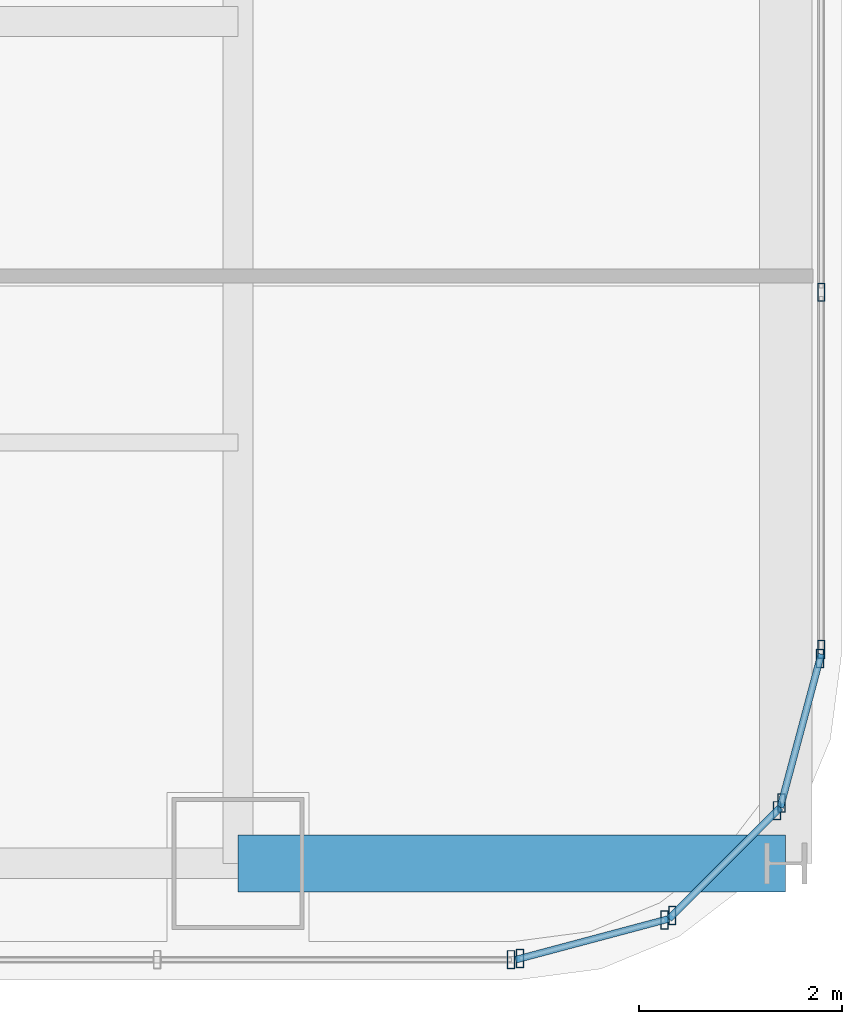
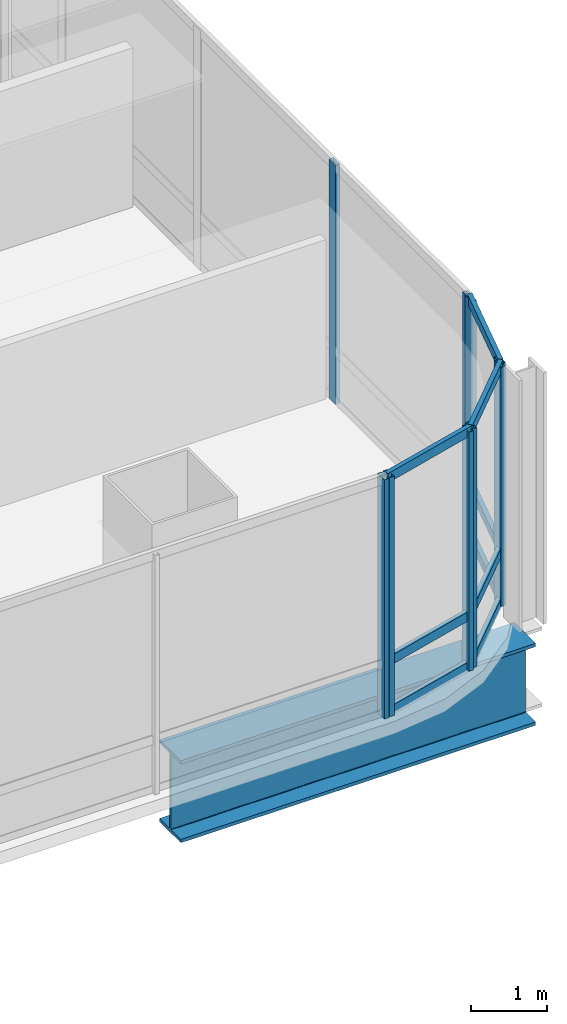
# One storey, part 15 of 42: 18 members, 1 beam, 5 elements without a shape of their own.
"""IFC4 building model written with IfcOpenShell, lengths in metres."""

from ifc_helpers import new_model, si_unit, direction, frame, origin, origin_2d, place, context, subcontext, project, spatial, hollow_rectangle, i_section, extrude, material, material_profile, profile_set, type_object, element, aggregate, save


model = new_model("IFC4")

# Units and contexts
model_context = context("Model", 3, precision=1e-05, world=origin(), true_north=direction((0.0, 1.0)))
body_context = subcontext(model_context, "Body", "Model", "MODEL_VIEW")
ifc_project = project(units=[si_unit("LENGTHUNIT", "METRE"), si_unit("AREAUNIT", "SQUARE_METRE"), si_unit("VOLUMEUNIT", "CUBIC_METRE"), si_unit("PLANEANGLEUNIT", "RADIAN"), si_unit("MASSUNIT", "GRAM", prefix="KILO")], contexts=[model_context])

# Site, building, storey
site_placement = place(None, origin())
site = spatial("IfcSite", under=ifc_project, at=site_placement, CompositionType="ELEMENT")
building_placement = place(site_placement, origin())
building = spatial("IfcBuilding", under=site, at=building_placement, Name="Punatoya Terracotta Tower", CompositionType="ELEMENT")
storey_placement = place(building_placement, frame((0.0, 0.0, 259.5)))
storey = spatial("IfcBuildingStorey", under=building, at=storey_placement, Name="L61", CompositionType="ELEMENT", Elevation=259.5)

# Beam
ifc_material_1 = material(Name="Steel S460", Category="steel")
ifc_material_profile_1 = material_profile(ifc_material_1, i_section(OverallWidth=0.56005859375, OverallDepth=1.320068359375, WebThickness=0.035888671875, FlangeThickness=0.054931640625, FilletRadius=0.01806640625, at=origin_2d()))
ifc_profile_set_1 = profile_set([ifc_material_profile_1], Name="Steel S460")
beam_type = type_object("IfcBeamType", Name="BM-TG-BLK", PredefinedType="BEAM", material=ifc_profile_set_1)
beam_placement = place(storey_placement, frame((19.10009765625, -17.5, -0.860107421875), z_axis=(1.0, 0.0, 0.0), x_axis=(0.0, 1.0, 0.0)))
element("IfcBeam", 1, at=beam_placement, inside=storey, type_object=beam_type, Name="BM-L61-CANT-E1", PredefinedType="BEAM", context=body_context, shape_type="SweptSolid", body=[
    extrude(i_section(OverallWidth=0.56005859375, OverallDepth=1.320068359375, WebThickness=0.035888671875, FlangeThickness=0.054931640625, FilletRadius=0.01806640625, at=origin_2d()), origin(), (0.0, 0.0, 1.0), 5.39990234375),
])

# Curtain wall, member
ifc_material_2 = material(Name="Aluminium 6063-T6 + Double Low-E Glass", Category="aluminium")
curtain_wall_type = type_object("IfcCurtainWallType", Name="CW-M3", PredefinedType="NOTDEFINED", material=ifc_material_2)
curtain_wall_1_placement = place(storey_placement, origin())
curtain_wall_1 = element("IfcCurtainWall", 2, at=curtain_wall_1_placement, inside=storey, type_object=curtain_wall_type, Name="L61 Curtain Wall CW-L61-S01-1", PredefinedType="NOTDEFINED")
ifc_material_3 = material(Name="Aluminium 6063-T6", Category="aluminium")
ifc_material_profile_2 = material_profile(ifc_material_3, hollow_rectangle(XDim=0.070068359375, YDim=0.179931640625, WallThickness=0.00390625, at=origin_2d()))
ifc_profile_set_2 = profile_set([ifc_material_profile_2], Name="Aluminium 6063-T6")
member_type_1 = type_object("IfcMemberType", Name="CW-MUL-M3", PredefinedType="MULLION", material=ifc_profile_set_2)
member_1_placement = place(storey_placement, frame((21.7919921875, -18.449951171875, 0.0), z_axis=(0.0, 0.0, 1.0), x_axis=(1.0, 0.0, 0.0)))
member_1 = element("IfcMember", 3, at=member_1_placement, type_object=member_type_1, Name="CW-L61-S01-1 Mullion 11", PredefinedType="MULLION", context=body_context, shape_type="SweptSolid", body=[
    extrude(hollow_rectangle(XDim=0.070068359375, YDim=0.179931640625, WallThickness=0.00390625, at=origin_2d()), origin(), (0.0, 0.0, 1.0), 3.85009765625),
])
aggregate(curtain_wall_1, [member_1])

# Curtain wall, members
curtain_wall_2_placement = place(storey_placement, origin())
curtain_wall_2 = element("IfcCurtainWall", 4, at=curtain_wall_2_placement, inside=storey, type_object=curtain_wall_type, Name="L61 Curtain Wall CW-L61-CRN02", PredefinedType="NOTDEFINED")
member_2_placement = place(storey_placement, frame((21.88037109375, -18.4384765625, 0.0), z_axis=(0.0, 0.0, 1.0), x_axis=(1.0, 0.0, 0.0)))
member_2 = element("IfcMember", 5, at=member_2_placement, type_object=member_type_1, Name="CW-L61-CRN02 Mullion 00", PredefinedType="MULLION", context=body_context, shape_type="SweptSolid", body=[
    extrude(hollow_rectangle(XDim=0.070068359375, YDim=0.179931640625, WallThickness=0.00390625, at=origin_2d()), origin(), (0.0, 0.0, 1.0), 3.85009765625),
])
member_3_placement = place(storey_placement, frame((23.3056640625, -18.05810546875, 0.0), z_axis=(0.0, 0.0, 1.0), x_axis=(1.0, 0.0, 0.0)))
member_3 = element("IfcMember", 6, at=member_3_placement, type_object=member_type_1, Name="CW-L61-CRN02 Mullion 01", PredefinedType="MULLION", context=body_context, shape_type="SweptSolid", body=[
    extrude(hollow_rectangle(XDim=0.070068359375, YDim=0.179931640625, WallThickness=0.00390625, at=origin_2d()), origin(), (0.0, 0.0, 1.0), 3.85009765625),
])

curtain_wall_3_placement = place(storey_placement, origin())
curtain_wall_3 = element("IfcCurtainWall", 7, at=curtain_wall_3_placement, inside=storey, type_object=curtain_wall_type, Name="L61 Curtain Wall CW-L61-CRN03", PredefinedType="NOTDEFINED")
member_4_placement = place(storey_placement, frame((23.380859375, -18.014892578125, 0.0), z_axis=(0.0, 0.0, 1.0), x_axis=(1.0, 0.0, 0.0)))
member_4 = element("IfcMember", 8, at=member_4_placement, type_object=member_type_1, Name="CW-L61-CRN03 Mullion 00", PredefinedType="MULLION", context=body_context, shape_type="SweptSolid", body=[
    extrude(hollow_rectangle(XDim=0.070068359375, YDim=0.179931640625, WallThickness=0.00390625, at=origin_2d()), origin(), (0.0, 0.0, 1.0), 3.85009765625),
])
member_5_placement = place(storey_placement, frame((24.414794921875, -16.98095703125, 0.0), z_axis=(0.0, 0.0, 1.0), x_axis=(1.0, 0.0, 0.0)))
member_5 = element("IfcMember", 9, at=member_5_placement, type_object=member_type_1, Name="CW-L61-CRN03 Mullion 01", PredefinedType="MULLION", context=body_context, shape_type="SweptSolid", body=[
    extrude(hollow_rectangle(XDim=0.070068359375, YDim=0.179931640625, WallThickness=0.00390625, at=origin_2d()), origin(), (0.0, 0.0, 1.0), 3.85009765625),
])

curtain_wall_4_placement = place(storey_placement, origin())
curtain_wall_4 = element("IfcCurtainWall", 10, at=curtain_wall_4_placement, inside=storey, type_object=curtain_wall_type, Name="L61 Curtain Wall CW-L61-CRN04", PredefinedType="NOTDEFINED")
member_6_placement = place(storey_placement, frame((24.458251953125, -16.905517578125, 0.0), z_axis=(0.0, 0.0, 1.0), x_axis=(1.0, 0.0, 0.0)))
member_6 = element("IfcMember", 11, at=member_6_placement, type_object=member_type_1, Name="CW-L61-CRN04 Mullion 00", PredefinedType="MULLION", context=body_context, shape_type="SweptSolid", body=[
    extrude(hollow_rectangle(XDim=0.070068359375, YDim=0.179931640625, WallThickness=0.00390625, at=origin_2d()), origin(), (0.0, 0.0, 1.0), 3.85009765625),
])
member_7_placement = place(storey_placement, frame((24.83837890625, -15.48046875, 0.0), z_axis=(0.0, 0.0, 1.0), x_axis=(1.0, 0.0, 0.0)))
member_7 = element("IfcMember", 12, at=member_7_placement, type_object=member_type_1, Name="CW-L61-CRN04 Mullion 01", PredefinedType="MULLION", context=body_context, shape_type="SweptSolid", body=[
    extrude(hollow_rectangle(XDim=0.070068359375, YDim=0.179931640625, WallThickness=0.00390625, at=origin_2d()), origin(), (0.0, 0.0, 1.0), 3.85009765625),
])

curtain_wall_5_placement = place(storey_placement, origin())
curtain_wall_5 = element("IfcCurtainWall", 13, at=curtain_wall_5_placement, inside=storey, type_object=curtain_wall_type, Name="L61 Curtain Wall CW-L61-E05-1", PredefinedType="NOTDEFINED")
member_8_placement = place(storey_placement, frame((24.85009765625, -15.391845703125, 0.0), z_axis=(0.0, 0.0, 1.0), x_axis=(1.0, 0.0, 0.0)))
member_8 = element("IfcMember", 14, at=member_8_placement, type_object=member_type_1, Name="CW-L61-E05-1 Mullion 00", PredefinedType="MULLION", context=body_context, shape_type="SweptSolid", body=[
    extrude(hollow_rectangle(XDim=0.070068359375, YDim=0.179931640625, WallThickness=0.00390625, at=origin_2d()), origin(), (0.0, 0.0, 1.0), 3.85009765625),
])
member_9_placement = place(storey_placement, frame((24.85009765625, -11.869384765625, 0.0), z_axis=(0.0, 0.0, 1.0), x_axis=(1.0, 0.0, 0.0)))
member_9 = element("IfcMember", 15, at=member_9_placement, type_object=member_type_1, Name="CW-L61-E05-1 Mullion 01", PredefinedType="MULLION", context=body_context, shape_type="SweptSolid", body=[
    extrude(hollow_rectangle(XDim=0.070068359375, YDim=0.179931640625, WallThickness=0.00390625, at=origin_2d()), origin(), (0.0, 0.0, 1.0), 3.85009765625),
])
aggregate(curtain_wall_5, [member_8, member_9])

# Member
ifc_material_profile_3 = material_profile(ifc_material_3, hollow_rectangle(XDim=0.068115234375, YDim=0.14990234375, WallThickness=0.00390625, at=origin_2d()))
ifc_profile_set_3 = profile_set([ifc_material_profile_3], Name="Aluminium 6063-T6")
member_type_2 = type_object("IfcMemberType", Name="CW-TRN-TYP", PredefinedType="USERDEFINED", material=ifc_profile_set_3)
member_10_placement = place(storey_placement, frame((21.8369140625, -18.449951171875, 0.0400390625), z_axis=(0.966224582397, 0.257701486942, 0.0), x_axis=(-0.257701486942, 0.966224582397, 0.0)))
member_10 = element("IfcMember", 16, at=member_10_placement, type_object=member_type_2, Name="CW-L61-CRN02 Transom 1", ObjectType="TRANSOM", PredefinedType="USERDEFINED", context=body_context, shape_type="SweptSolid", body=[
    extrude(hollow_rectangle(XDim=0.068115234375, YDim=0.14990234375, WallThickness=0.00390625, at=origin_2d()), origin(), (0.0, 0.0, 1.0), 1.565185546875),
])

member_11_placement = place(storey_placement, frame((21.8369140625, -18.449951171875, 0.85009765625), z_axis=(0.966224582397, 0.257701486942, 0.0), x_axis=(-0.257701486942, 0.966224582397, 0.0)))
member_11 = element("IfcMember", 17, at=member_11_placement, type_object=member_type_2, Name="CW-L61-CRN02 Transom 2", ObjectType="TRANSOM", PredefinedType="USERDEFINED", context=body_context, shape_type="SweptSolid", body=[
    extrude(hollow_rectangle(XDim=0.068115234375, YDim=0.14990234375, WallThickness=0.00390625, at=origin_2d()), origin(), (0.0, 0.0, 1.0), 1.565185546875),
])

member_12_placement = place(storey_placement, frame((21.8369140625, -18.449951171875, 3.81005859375), z_axis=(0.966224582397, 0.257701486942, 0.0), x_axis=(-0.257701486942, 0.966224582397, 0.0)))
member_12 = element("IfcMember", 18, at=member_12_placement, type_object=member_type_2, Name="CW-L61-CRN02 Transom 3", ObjectType="TRANSOM", PredefinedType="USERDEFINED", context=body_context, shape_type="SweptSolid", body=[
    extrude(hollow_rectangle(XDim=0.068115234375, YDim=0.14990234375, WallThickness=0.00390625, at=origin_2d()), origin(), (0.0, 0.0, 1.0), 1.565185546875),
])

aggregate(curtain_wall_2, [member_2, member_3, member_10, member_11, member_12])

member_13_placement = place(storey_placement, frame((23.34912109375, -18.046630859375, 0.0400390625), z_axis=(0.707106781187, 0.707106781187, 0.0), x_axis=(-0.707106781187, 0.707106781187, 0.0)))
member_13 = element("IfcMember", 19, at=member_13_placement, type_object=member_type_2, Name="CW-L61-CRN03 Transom 1", ObjectType="TRANSOM", PredefinedType="USERDEFINED", context=body_context, shape_type="SweptSolid", body=[
    extrude(hollow_rectangle(XDim=0.068115234375, YDim=0.14990234375, WallThickness=0.00390625, at=origin_2d()), origin(), (0.0, 0.0, 1.0), 1.552001953125),
])

member_14_placement = place(storey_placement, frame((23.34912109375, -18.046630859375, 0.85009765625), z_axis=(0.707106781187, 0.707106781187, 0.0), x_axis=(-0.707106781187, 0.707106781187, 0.0)))
member_14 = element("IfcMember", 20, at=member_14_placement, type_object=member_type_2, Name="CW-L61-CRN03 Transom 2", ObjectType="TRANSOM", PredefinedType="USERDEFINED", context=body_context, shape_type="SweptSolid", body=[
    extrude(hollow_rectangle(XDim=0.068115234375, YDim=0.14990234375, WallThickness=0.00390625, at=origin_2d()), origin(), (0.0, 0.0, 1.0), 1.552001953125),
])

member_15_placement = place(storey_placement, frame((23.34912109375, -18.046630859375, 3.81005859375), z_axis=(0.707106781187, 0.707106781187, 0.0), x_axis=(-0.707106781187, 0.707106781187, 0.0)))
member_15 = element("IfcMember", 21, at=member_15_placement, type_object=member_type_2, Name="CW-L61-CRN03 Transom 3", ObjectType="TRANSOM", PredefinedType="USERDEFINED", context=body_context, shape_type="SweptSolid", body=[
    extrude(hollow_rectangle(XDim=0.068115234375, YDim=0.14990234375, WallThickness=0.00390625, at=origin_2d()), origin(), (0.0, 0.0, 1.0), 1.552001953125),
])

aggregate(curtain_wall_3, [member_4, member_5, member_13, member_14, member_15])

member_16_placement = place(storey_placement, frame((24.446533203125, -16.94921875, 0.0400390625), z_axis=(0.257847112249, 0.966185730957, 0.0), x_axis=(-0.966185730957, 0.257847112249, 0.0)))
member_16 = element("IfcMember", 22, at=member_16_placement, type_object=member_type_2, Name="CW-L61-CRN04 Transom 1", ObjectType="TRANSOM", PredefinedType="USERDEFINED", context=body_context, shape_type="SweptSolid", body=[
    extrude(hollow_rectangle(XDim=0.068115234375, YDim=0.14990234375, WallThickness=0.00390625, at=origin_2d()), origin(), (0.0, 0.0, 1.0), 1.565185546875),
])

member_17_placement = place(storey_placement, frame((24.446533203125, -16.94921875, 0.85009765625), z_axis=(0.257847112249, 0.966185730957, 0.0), x_axis=(-0.966185730957, 0.257847112249, 0.0)))
member_17 = element("IfcMember", 23, at=member_17_placement, type_object=member_type_2, Name="CW-L61-CRN04 Transom 2", ObjectType="TRANSOM", PredefinedType="USERDEFINED", context=body_context, shape_type="SweptSolid", body=[
    extrude(hollow_rectangle(XDim=0.068115234375, YDim=0.14990234375, WallThickness=0.00390625, at=origin_2d()), origin(), (0.0, 0.0, 1.0), 1.565185546875),
])

member_18_placement = place(storey_placement, frame((24.446533203125, -16.94921875, 3.81005859375), z_axis=(0.257847112249, 0.966185730957, 0.0), x_axis=(-0.966185730957, 0.257847112249, 0.0)))
member_18 = element("IfcMember", 24, at=member_18_placement, type_object=member_type_2, Name="CW-L61-CRN04 Transom 3", ObjectType="TRANSOM", PredefinedType="USERDEFINED", context=body_context, shape_type="SweptSolid", body=[
    extrude(hollow_rectangle(XDim=0.068115234375, YDim=0.14990234375, WallThickness=0.00390625, at=origin_2d()), origin(), (0.0, 0.0, 1.0), 1.565185546875),
])

aggregate(curtain_wall_4, [member_6, member_7, member_16, member_17, member_18])

save(model, "model.ifc")
